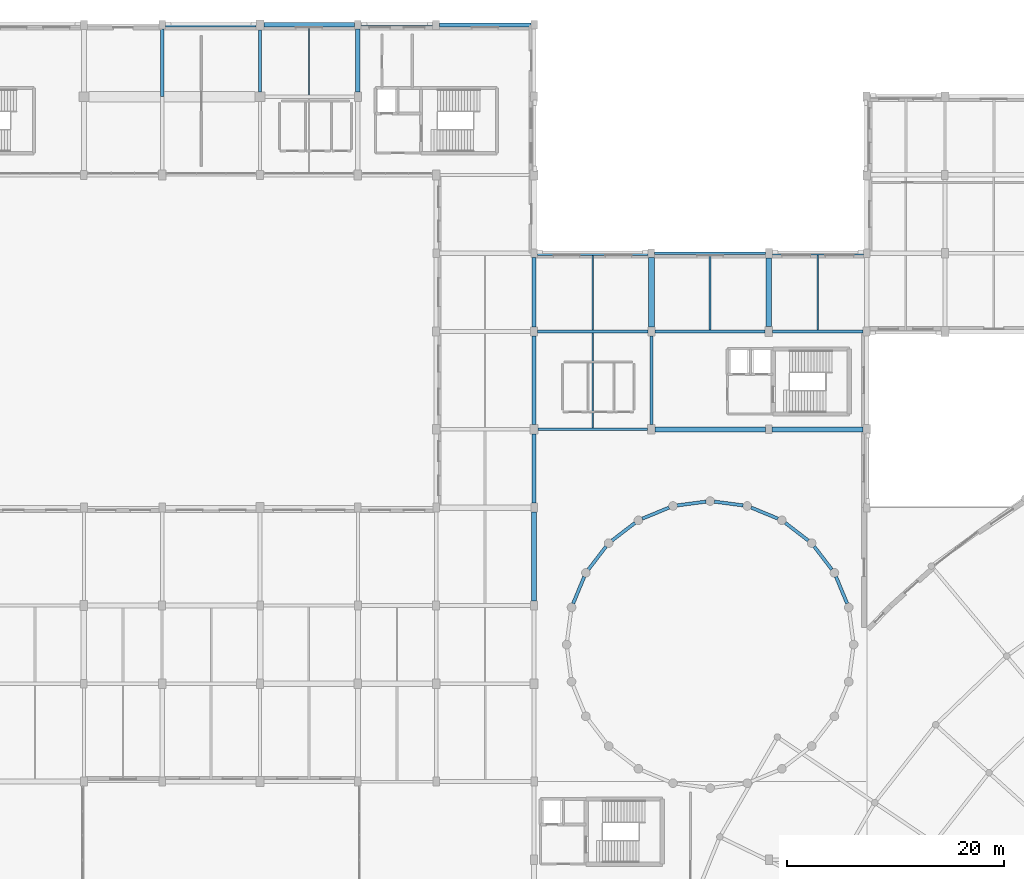
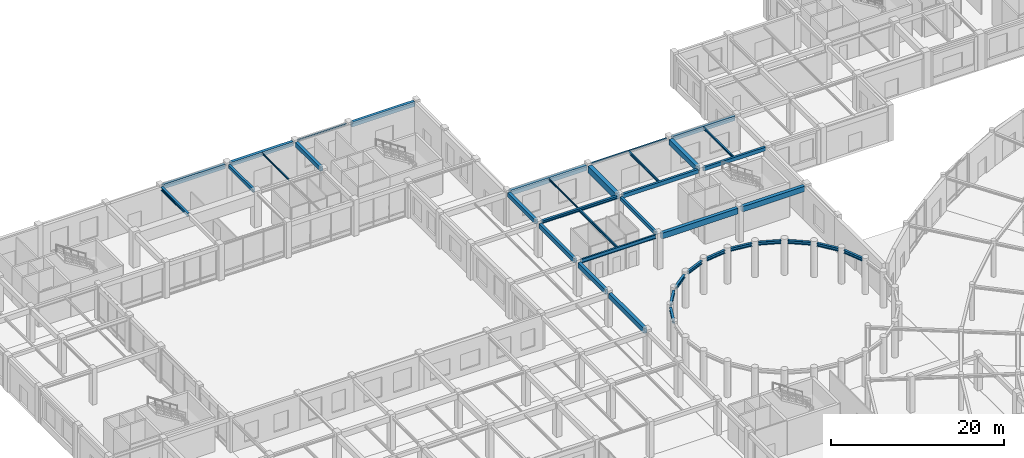
# One storey, part 29 of 64: 38 beams.
"""IFC4 building model written with IfcOpenShell, lengths in metres."""

from ifc_helpers import new_model, si_unit, direction, frame, origin, origin_2d, place, context, subcontext, project, spatial, rectangle, i_section, extrude, material, material_profile, profile_set, type_object, element, save


model = new_model("IFC4")

# Units and contexts
model_context = context("Model", 3, precision=1e-05, world=origin(), true_north=direction((0.0, 1.0)))
body_context = subcontext(model_context, "Body", "Model", "MODEL_VIEW")
ifc_project = project(units=[si_unit("LENGTHUNIT", "METRE"), si_unit("AREAUNIT", "SQUARE_METRE"), si_unit("VOLUMEUNIT", "CUBIC_METRE"), si_unit("PLANEANGLEUNIT", "RADIAN"), si_unit("MASSUNIT", "GRAM", prefix="KILO")], contexts=[model_context])

# Site, building, storey
site_placement = place(None, origin())
site = spatial("IfcSite", under=ifc_project, at=site_placement, CompositionType="ELEMENT")
building_placement = place(site_placement, origin())
building = spatial("IfcBuilding", under=site, at=building_placement, Name="Clarverna Civic Hall", CompositionType="ELEMENT")
storey_placement = place(building_placement, origin())
storey = spatial("IfcBuildingStorey", under=building, at=storey_placement, Name="L00", CompositionType="ELEMENT", Elevation=0.0)

# Beams
ifc_material_1 = material(Name="Steel S355", Category="steel")
ifc_material_profile_1 = material_profile(ifc_material_1, i_section(OverallWidth=0.219970703125, OverallDepth=0.2099609375, WebThickness=0.007080078125, FlangeThickness=0.010986328125, FilletRadius=0.01806640625, at=origin_2d()), Name="HEA 220")
ifc_profile_set_1 = profile_set([ifc_material_profile_1], Name="Steel S355")
beam_type_1 = type_object("IfcBeamType", Name="B-LN1", PredefinedType="LINTEL", material=ifc_profile_set_1)
beam_1_placement = place(storey_placement, frame((50.699951171875, 116.0, 4.715087890625), z_axis=(1.0, 0.0, 0.0), x_axis=(0.0, 1.0, 0.0)))
element("IfcBeam", 1, at=beam_1_placement, inside=storey, type_object=beam_type_1, Name="B-LN1-009", PredefinedType="LINTEL", context=body_context, shape_type="SweptSolid", body=[
    extrude(i_section(OverallWidth=0.219970703125, OverallDepth=0.2099609375, WebThickness=0.007080078125, FlangeThickness=0.010986328125, FilletRadius=0.01806640625, at=origin_2d()), origin(), (0.0, 0.0, 1.0), 6.574951171875),
])
ifc_material_profile_2 = material_profile(ifc_material_1, i_section(OverallWidth=0.199951171875, OverallDepth=0.18994140625, WebThickness=0.006591796875, FlangeThickness=0.010009765625, FilletRadius=0.01806640625, at=origin_2d()), Name="HEA 200")
ifc_profile_set_2 = profile_set([ifc_material_profile_2], Name="Steel S355")
beam_type_2 = type_object("IfcBeamType", Name="B-LN2", PredefinedType="LINTEL", material=ifc_profile_set_2)
beam_2_placement = place(storey_placement, frame((77.699951171875, 95.0, 4.68505859375), z_axis=(1.0, 0.0, 0.0), x_axis=(0.0, 1.0, 0.0)))
element("IfcBeam", 2, at=beam_2_placement, inside=storey, type_object=beam_type_2, Name="B-LN2-007", PredefinedType="LINTEL", context=body_context, shape_type="SweptSolid", body=[
    extrude(i_section(OverallWidth=0.199951171875, OverallDepth=0.18994140625, WebThickness=0.006591796875, FlangeThickness=0.010009765625, FilletRadius=0.01806640625, at=origin_2d()), origin(), (0.0, 0.0, 1.0), 10.175048828125),
])
ifc_material_2 = material(Name="Concrete C35/45", Category="concrete")
ifc_material_profile_3 = material_profile(ifc_material_2, rectangle(XDim=0.300048828125, YDim=0.550048828125, at=origin_2d()), Name="RC 300x550")
ifc_profile_set_3 = profile_set([ifc_material_profile_3], Name="Concrete C35/45")
beam_type_3 = type_object("IfcBeamType", Name="B-RC11", PredefinedType="BEAM", material=ifc_profile_set_3)
beam_3_placement = place(storey_placement, frame((77.72509765625, 87.800048828125, 4.5048828125), z_axis=(1.0, 0.0, 0.0), x_axis=(0.0, 1.0, 0.0)))
element("IfcBeam", 3, at=beam_3_placement, inside=storey, type_object=beam_type_3, Name="B-RC11-020", PredefinedType="BEAM", context=body_context, shape_type="SweptSolid", body=[
    extrude(rectangle(XDim=0.300048828125, YDim=0.550048828125, at=origin_2d()), origin(), (0.0, 0.0, 1.0), 10.125),
])
ifc_material_profile_4 = material_profile(ifc_material_2, rectangle(XDim=0.300048828125, YDim=0.5, at=origin_2d()), Name="RC 300x500")
ifc_profile_set_4 = profile_set([ifc_material_profile_4], Name="Concrete C35/45")
beam_type_4 = type_object("IfcBeamType", Name="B-RC12", PredefinedType="BEAM", material=ifc_profile_set_4)
beam_4_placement = place(storey_placement, frame((88.550048828125, 87.800048828125, 4.530029296875), z_axis=(1.0, 0.0, 0.0), x_axis=(0.0, 1.0, 0.0)))
element("IfcBeam", 4, at=beam_4_placement, inside=storey, type_object=beam_type_4, Name="B-RC12-021", PredefinedType="BEAM", context=body_context, shape_type="SweptSolid", body=[
    extrude(rectangle(XDim=0.300048828125, YDim=0.5, at=origin_2d()), origin(), (0.0, 0.0, 1.0), 8.324951171875),
])
beam_5_placement = place(storey_placement, frame((77.39990234375, 79.25, 4.530029296875), z_axis=(0.0, 1.0, 0.0), x_axis=(-1.0, 0.0, 0.0)))
element("IfcBeam", 5, at=beam_5_placement, inside=storey, type_object=beam_type_4, Name="B-RC12-026", PredefinedType="BEAM", context=body_context, shape_type="SweptSolid", body=[
    extrude(rectangle(XDim=0.300048828125, YDim=0.5, at=origin_2d()), origin(), (0.0, 0.0, 1.0), 8.125),
])
ifc_material_profile_5 = material_profile(ifc_material_2, rectangle(XDim=0.550048828125, YDim=0.89990234375, at=origin_2d()), Name="RC 550x900")
ifc_profile_set_5 = profile_set([ifc_material_profile_5], Name="Concrete C35/45")
beam_type_5 = type_object("IfcBeamType", Name="B-RC13", PredefinedType="BEAM", material=ifc_profile_set_5)
beam_6_placement = place(storey_placement, frame((77.39990234375, 88.22509765625, 4.330078125), z_axis=(0.0, 1.0, 0.0), x_axis=(-1.0, 0.0, 0.0)))
element("IfcBeam", 6, at=beam_6_placement, inside=storey, type_object=beam_type_5, Name="B-RC13-019", PredefinedType="BEAM", context=body_context, shape_type="SweptSolid", body=[
    extrude(rectangle(XDim=0.550048828125, YDim=0.89990234375, at=origin_2d()), origin(), (0.0, 0.0, 1.0), 6.375),
])
ifc_material_profile_6 = material_profile(ifc_material_2, rectangle(XDim=0.5, YDim=0.75, at=origin_2d()), Name="RC 500x750")
ifc_profile_set_6 = profile_set([ifc_material_profile_6], Name="Concrete C35/45")
beam_type_6 = type_object("IfcBeamType", Name="B-RC15", PredefinedType="BEAM", material=ifc_profile_set_6)
beam_7_placement = place(storey_placement, frame((88.199951171875, 88.25, 4.405029296875), z_axis=(0.0, 1.0, 0.0), x_axis=(-1.0, 0.0, 0.0)))
element("IfcBeam", 7, at=beam_7_placement, inside=storey, type_object=beam_type_6, Name="B-RC15-024", PredefinedType="BEAM", context=body_context, shape_type="SweptSolid", body=[
    extrude(rectangle(XDim=0.5, YDim=0.75, at=origin_2d()), origin(), (0.0, 0.0, 1.0), 6.324951171875),
])
ifc_material_profile_7 = material_profile(ifc_material_2, rectangle(XDim=0.300048828125, YDim=0.449951171875, at=origin_2d()), Name="RC 300x450")
ifc_profile_set_7 = profile_set([ifc_material_profile_7], Name="Concrete C35/45")
beam_type_7 = type_object("IfcBeamType", Name="B-RC18", PredefinedType="BEAM", material=ifc_profile_set_7)
beam_8_placement = place(storey_placement, frame((41.39990234375, 109.85009765625, 4.594970703125), z_axis=(0.0, 1.0, 0.0), x_axis=(-1.0, 0.0, 0.0)))
element("IfcBeam", 8, at=beam_8_placement, inside=storey, type_object=beam_type_7, Name="B-RC18-021", PredefinedType="BEAM", context=body_context, shape_type="SweptSolid", body=[
    extrude(rectangle(XDim=0.300048828125, YDim=0.449951171875, at=origin_2d()), origin(), (0.0, 0.0, 1.0), 5.699951171875),
])
ifc_material_profile_8 = material_profile(ifc_material_2, rectangle(XDim=0.449951171875, YDim=0.800048828125, at=origin_2d()), Name="RC 450x800")
ifc_profile_set_8 = profile_set([ifc_material_profile_8], Name="Concrete C35/45")
beam_type_8 = type_object("IfcBeamType", Name="B-RC2", PredefinedType="BEAM", material=ifc_profile_set_8)
beam_9_placement = place(storey_placement, frame((77.75, 78.800048828125, 4.3798828125), z_axis=(1.0, 0.0, 0.0), x_axis=(0.0, 1.0, 0.0)))
element("IfcBeam", 9, at=beam_9_placement, inside=storey, type_object=beam_type_8, Name="B-RC2-016", PredefinedType="BEAM", context=body_context, shape_type="SweptSolid", body=[
    extrude(rectangle(XDim=0.449951171875, YDim=0.800048828125, at=origin_2d()), origin(), (0.0, 0.0, 1.0), 10.14990234375),
])
ifc_material_profile_9 = material_profile(ifc_material_2, rectangle(XDim=0.449951171875, YDim=0.75, at=origin_2d()), Name="RC 450x750")
ifc_profile_set_9 = profile_set([ifc_material_profile_9], Name="Concrete C35/45")
beam_type_9 = type_object("IfcBeamType", Name="B-RC3", PredefinedType="BEAM", material=ifc_profile_set_9)
beam_10_placement = place(storey_placement, frame((88.5, 78.800048828125, 4.405029296875), z_axis=(1.0, 0.0, 0.0), x_axis=(0.0, 1.0, 0.0)))
element("IfcBeam", 10, at=beam_10_placement, inside=storey, type_object=beam_type_9, Name="B-RC3-016", PredefinedType="BEAM", context=body_context, shape_type="SweptSolid", body=[
    extrude(rectangle(XDim=0.449951171875, YDim=0.75, at=origin_2d()), origin(), (0.0, 0.0, 1.0), 8.35009765625),
])
ifc_material_profile_10 = material_profile(ifc_material_2, rectangle(XDim=0.39990234375, YDim=0.60009765625, at=origin_2d()), Name="RC 400x600")
ifc_profile_set_10 = profile_set([ifc_material_profile_10], Name="Concrete C35/45")
beam_type_10 = type_object("IfcBeamType", Name="B-RC7", PredefinedType="BEAM", material=ifc_profile_set_10)
beam_11_placement = place(storey_placement, frame((50.39990234375, 109.824951171875, 4.52001953125), z_axis=(0.0, 1.0, 0.0), x_axis=(-1.0, 0.0, 0.0)))
element("IfcBeam", 11, at=beam_11_placement, inside=storey, type_object=beam_type_10, Name="B-RC7-019", PredefinedType="BEAM", context=body_context, shape_type="SweptSolid", body=[
    extrude(rectangle(XDim=0.39990234375, YDim=0.60009765625, at=origin_2d()), origin(), (0.0, 0.0, 1.0), 5.775146484375),
])
ifc_material_profile_11 = material_profile(ifc_material_2, rectangle(XDim=0.419921875, YDim=0.719970703125, at=origin_2d()), Name="RC 420x720")
ifc_profile_set_11 = profile_set([ifc_material_profile_11], Name="Concrete C35/45")
beam_type_11 = type_object("IfcBeamType", Name="B-SP1", PredefinedType="SPANDREL", material=ifc_profile_set_11)
beam_12_placement = place(storey_placement, frame((66.89990234375, 95.0, 4.419921875), z_axis=(1.0, 0.0, 0.0), x_axis=(0.0, 1.0, 0.0)))
element("IfcBeam", 12, at=beam_12_placement, inside=storey, type_object=beam_type_11, Name="B-SP1-039", PredefinedType="SPANDREL", context=body_context, shape_type="SweptSolid", body=[
    extrude(rectangle(XDim=0.419921875, YDim=0.719970703125, at=origin_2d()), origin(), (0.0, 0.0, 1.0), 10.2001953125),
])
beam_13_placement = place(storey_placement, frame((66.60009765625, 63.02490234375, 4.419921875), z_axis=(0.0, 1.0, 0.0), x_axis=(-1.0, 0.0, 0.0)))
element("IfcBeam", 13, at=beam_13_placement, inside=storey, type_object=beam_type_11, Name="B-SP1-051", PredefinedType="SPANDREL", context=body_context, shape_type="SweptSolid", body=[
    extrude(rectangle(XDim=0.419921875, YDim=0.719970703125, at=origin_2d()), origin(), (0.0, 0.0, 1.0), 8.175048828125),
])
ifc_material_profile_12 = material_profile(ifc_material_2, rectangle(XDim=0.3798828125, YDim=0.679931640625, at=origin_2d()), Name="RC 380x680")
ifc_profile_set_12 = profile_set([ifc_material_profile_12], Name="Concrete C35/45")
beam_type_12 = type_object("IfcBeamType", Name="B-SP2", PredefinedType="SPANDREL", material=ifc_profile_set_12)
beam_14_placement = place(storey_placement, frame((57.925048828125, 116.0, 4.47998046875), z_axis=(1.0, 0.0, 0.0), x_axis=(0.0, 1.0, 0.0)))
element("IfcBeam", 14, at=beam_14_placement, inside=storey, type_object=beam_type_12, Name="B-SP2-040", PredefinedType="SPANDREL", context=body_context, shape_type="SweptSolid", body=[
    extrude(rectangle(XDim=0.3798828125, YDim=0.679931640625, at=origin_2d()), origin(), (0.0, 0.0, 1.0), 8.375),
])
beam_15_placement = place(storey_placement, frame((66.60009765625, 72.0, 4.43994140625), z_axis=(0.0, 1.0, 0.0), x_axis=(-1.0, 0.0, 0.0)))
element("IfcBeam", 15, at=beam_15_placement, inside=storey, type_object=beam_type_12, Name="B-SP2-050", PredefinedType="SPANDREL", context=body_context, shape_type="SweptSolid", body=[
    extrude(rectangle(XDim=0.3798828125, YDim=0.679931640625, at=origin_2d()), origin(), (0.0, 0.0, 1.0), 6.35009765625),
])
ifc_material_profile_13 = material_profile(ifc_material_2, rectangle(XDim=0.360107421875, YDim=0.6201171875, at=origin_2d()), Name="RC 360x620")
ifc_profile_set_13 = profile_set([ifc_material_profile_13], Name="Concrete C35/45")
beam_type_13 = type_object("IfcBeamType", Name="B-SP3", PredefinedType="SPANDREL", material=ifc_profile_set_13)
beam_16_placement = place(storey_placement, frame((88.52490234375, 95.0, 4.469970703125), z_axis=(1.0, 0.0, 0.0), x_axis=(0.0, 1.0, 0.0)))
element("IfcBeam", 16, at=beam_16_placement, inside=storey, type_object=beam_type_13, Name="B-SP3-037", PredefinedType="SPANDREL", context=body_context, shape_type="SweptSolid", body=[
    extrude(rectangle(XDim=0.360107421875, YDim=0.6201171875, at=origin_2d()), origin(), (0.0, 0.0, 1.0), 8.375),
])
beam_17_placement = place(storey_placement, frame((32.699951171875, 116.0, 4.510009765625), z_axis=(1.0, 0.0, 0.0), x_axis=(0.0, 1.0, 0.0)))
element("IfcBeam", 17, at=beam_17_placement, inside=storey, type_object=beam_type_13, Name="B-SP3-042", PredefinedType="SPANDREL", context=body_context, shape_type="SweptSolid", body=[
    extrude(rectangle(XDim=0.360107421875, YDim=0.6201171875, at=origin_2d()), origin(), (0.0, 0.0, 1.0), 8.35009765625),
])
beam_18_placement = place(storey_placement, frame((66.60009765625, 79.25, 4.469970703125), z_axis=(0.0, 1.0, 0.0), x_axis=(-1.0, 0.0, 0.0)))
element("IfcBeam", 18, at=beam_18_placement, inside=storey, type_object=beam_type_13, Name="B-SP3-051", PredefinedType="SPANDREL", context=body_context, shape_type="SweptSolid", body=[
    extrude(rectangle(XDim=0.360107421875, YDim=0.6201171875, at=origin_2d()), origin(), (0.0, 0.0, 1.0), 8.125),
])
ifc_material_profile_14 = material_profile(ifc_material_2, rectangle(XDim=0.39990234375, YDim=0.56005859375, at=origin_2d()), Name="RC 400x560")
ifc_profile_set_14 = profile_set([ifc_material_profile_14], Name="Concrete C35/45")
beam_type_14 = type_object("IfcBeamType", Name="B-SP4", PredefinedType="SPANDREL", material=ifc_profile_set_14)
beam_19_placement = place(storey_placement, frame((41.75, 116.0, 4.5400390625), z_axis=(1.0, 0.0, 0.0), x_axis=(0.0, 1.0, 0.0)))
element("IfcBeam", 19, at=beam_19_placement, inside=storey, type_object=beam_type_14, Name="B-SP4-039", PredefinedType="SPANDREL", context=body_context, shape_type="SweptSolid", body=[
    extrude(rectangle(XDim=0.39990234375, YDim=0.56005859375, at=origin_2d()), origin(), (0.0, 0.0, 1.0), 8.35009765625),
])
beam_20_placement = place(storey_placement, frame((66.60009765625, 88.22509765625, 4.5), z_axis=(0.0, 1.0, 0.0), x_axis=(-1.0, 0.0, 0.0)))
element("IfcBeam", 20, at=beam_20_placement, inside=storey, type_object=beam_type_14, Name="B-SP4-048", PredefinedType="SPANDREL", context=body_context, shape_type="SweptSolid", body=[
    extrude(rectangle(XDim=0.39990234375, YDim=0.56005859375, at=origin_2d()), origin(), (0.0, 0.0, 1.0), 6.375),
])
ifc_material_profile_15 = material_profile(ifc_material_1, i_section(OverallWidth=0.2099609375, OverallDepth=0.550048828125, WebThickness=0.010986328125, FlangeThickness=0.01708984375, FilletRadius=0.02392578125, at=origin_2d()), Name="IPE 550")
ifc_profile_set_15 = profile_set([ifc_material_profile_15], Name="Steel S355")
beam_type_15 = type_object("IfcBeamType", Name="B-ST11", PredefinedType="BEAM", material=ifc_profile_set_15)
beam_21_placement = place(storey_placement, frame((66.949951171875, 78.800048828125, 4.5048828125), z_axis=(1.0, 0.0, 0.0), x_axis=(0.0, 1.0, 0.0)))
element("IfcBeam", 21, at=beam_21_placement, inside=storey, type_object=beam_type_15, Name="B-ST11-002", PredefinedType="BEAM", context=body_context, shape_type="SweptSolid", body=[
    extrude(i_section(OverallWidth=0.2099609375, OverallDepth=0.550048828125, WebThickness=0.010986328125, FlangeThickness=0.01708984375, FilletRadius=0.02392578125, at=origin_2d()), origin(), (0.0, 0.0, 1.0), 10.10009765625),
])
ifc_material_profile_16 = material_profile(ifc_material_1, i_section(OverallWidth=0.300048828125, OverallDepth=0.449951171875, WebThickness=0.013916015625, FlangeThickness=0.02587890625, FilletRadius=0.027099609375, at=origin_2d()), Name="HEB 450")
ifc_profile_set_16 = profile_set([ifc_material_profile_16], Name="Steel S355")
beam_type_16 = type_object("IfcBeamType", Name="B-ST3", PredefinedType="BEAM", material=ifc_profile_set_16)
beam_22_placement = place(storey_placement, frame((32.39990234375, 109.39990234375, 4.594970703125), z_axis=(0.0, 1.0, 0.0), x_axis=(-1.0, 0.0, 0.0)))
element("IfcBeam", 22, at=beam_22_placement, inside=storey, type_object=beam_type_16, Name="B-ST3-004", PredefinedType="BEAM", context=body_context, shape_type="SweptSolid", body=[
    extrude(i_section(OverallWidth=0.300048828125, OverallDepth=0.449951171875, WebThickness=0.013916015625, FlangeThickness=0.02587890625, FilletRadius=0.027099609375, at=origin_2d()), origin(), (0.0, 0.0, 1.0), 6.2001953125),
])
ifc_material_profile_17 = material_profile(ifc_material_1, i_section(OverallWidth=0.300048828125, OverallDepth=0.43994140625, WebThickness=0.011474609375, FlangeThickness=0.02099609375, FilletRadius=0.027099609375, at=origin_2d()), Name="HEA 450")
ifc_profile_set_17 = profile_set([ifc_material_profile_17], Name="Steel S355")
beam_type_17 = type_object("IfcBeamType", Name="B-ST5", PredefinedType="BEAM", material=ifc_profile_set_17)
for number, where, z_axis, x_axis, name in (
    (23, (95.40283203125, 62.772216796875, 4.56005859375), (-0.382658002616, 0.923890065448, 0.0), (-0.923890065448, -0.382658002616, 0.0), "B-ST5-028"),
    (24, (93.9970703125, 65.905517578125, 4.56005859375), (-0.60876670321, 0.793349293227, 0.0), (-0.793349293227, -0.60876670321, 0.0), "B-ST5-029"),
):
    element("IfcBeam", number, at=place(storey_placement, frame(where, z_axis=z_axis, x_axis=x_axis)), inside=storey, type_object=beam_type_17, Name=name, PredefinedType="BEAM", context=body_context, shape_type="SweptSolid", body=[
        extrude(i_section(OverallWidth=0.300048828125, OverallDepth=0.43994140625, WebThickness=0.011474609375, FlangeThickness=0.02099609375, FilletRadius=0.027099609375, at=origin_2d()), origin(), (0.0, 0.0, 1.0), 2.67578125),
    ])
beam_23_placement = place(storey_placement, frame((91.828369140625, 68.568115234375, 4.56005859375), z_axis=(-0.793383103562, 0.608722638796, 0.0), x_axis=(-0.608722638796, -0.793383103562, 0.0)))
element("IfcBeam", 25, at=beam_23_placement, inside=storey, type_object=beam_type_17, Name="B-ST5-030", PredefinedType="BEAM", context=body_context, shape_type="SweptSolid", body=[
    extrude(i_section(OverallWidth=0.300048828125, OverallDepth=0.43994140625, WebThickness=0.011474609375, FlangeThickness=0.02099609375, FilletRadius=0.027099609375, at=origin_2d()), origin(), (0.0, 0.0, 1.0), 2.676025390625),
])
beam_24_placement = place(storey_placement, frame((89.044189453125, 70.578857421875, 4.56005859375), z_axis=(-0.923890065448, 0.382658002616, 0.0), x_axis=(-0.382658002616, -0.923890065448, 0.0)))
element("IfcBeam", 26, at=beam_24_placement, inside=storey, type_object=beam_type_17, Name="B-ST5-031", PredefinedType="BEAM", context=body_context, shape_type="SweptSolid", body=[
    extrude(i_section(OverallWidth=0.300048828125, OverallDepth=0.43994140625, WebThickness=0.011474609375, FlangeThickness=0.02099609375, FilletRadius=0.027099609375, at=origin_2d()), origin(), (0.0, 0.0, 1.0), 2.67578125),
])
beam_25_placement = place(storey_placement, frame((85.834716796875, 71.800537109375, 4.56005859375), z_axis=(-0.991452742797, 0.130466312892, 0.0), x_axis=(-0.130466312892, -0.991452742797, 0.0)))
element("IfcBeam", 27, at=beam_25_placement, inside=storey, type_object=beam_type_17, Name="B-ST5-032", PredefinedType="BEAM", context=body_context, shape_type="SweptSolid", body=[
    extrude(i_section(OverallWidth=0.300048828125, OverallDepth=0.43994140625, WebThickness=0.011474609375, FlangeThickness=0.02099609375, FilletRadius=0.027099609375, at=origin_2d()), origin(), (0.0, 0.0, 1.0), 2.676025390625),
])
for number, where, z_axis, x_axis, name in (
    (28, (82.418212890625, 72.149658203125, 4.56005859375), (-0.991451189631, -0.13047811533, 0.0), (0.13047811533, -0.991451189631, 0.0), "B-ST5-033"),
    (29, (79.02783203125, 71.602783203125, 4.56005859375), (-0.923890065448, -0.382658002616, 0.0), (0.382658002616, -0.923890065448, 0.0), "B-ST5-034"),
):
    element("IfcBeam", number, at=place(storey_placement, frame(where, z_axis=z_axis, x_axis=x_axis)), inside=storey, type_object=beam_type_17, Name=name, PredefinedType="BEAM", context=body_context, shape_type="SweptSolid", body=[
        extrude(i_section(OverallWidth=0.300048828125, OverallDepth=0.43994140625, WebThickness=0.011474609375, FlangeThickness=0.02099609375, FilletRadius=0.027099609375, at=origin_2d()), origin(), (0.0, 0.0, 1.0), 2.67578125),
    ])
beam_26_placement = place(storey_placement, frame((75.89453125, 70.197021484375, 4.56005859375), z_axis=(-0.793383103562, -0.608722638796, 0.0), x_axis=(0.608722638796, -0.793383103562, 0.0)))
element("IfcBeam", 30, at=beam_26_placement, inside=storey, type_object=beam_type_17, Name="B-ST5-035", PredefinedType="BEAM", context=body_context, shape_type="SweptSolid", body=[
    extrude(i_section(OverallWidth=0.300048828125, OverallDepth=0.43994140625, WebThickness=0.011474609375, FlangeThickness=0.02099609375, FilletRadius=0.027099609375, at=origin_2d()), origin(), (0.0, 0.0, 1.0), 2.676025390625),
])
beam_27_placement = place(storey_placement, frame((73.231689453125, 68.0283203125, 4.56005859375), z_axis=(-0.60876670321, -0.793349293227, 0.0), x_axis=(0.793349293227, -0.60876670321, 0.0)))
element("IfcBeam", 31, at=beam_27_placement, inside=storey, type_object=beam_type_17, Name="B-ST5-036", PredefinedType="BEAM", context=body_context, shape_type="SweptSolid", body=[
    extrude(i_section(OverallWidth=0.300048828125, OverallDepth=0.43994140625, WebThickness=0.011474609375, FlangeThickness=0.02099609375, FilletRadius=0.027099609375, at=origin_2d()), origin(), (0.0, 0.0, 1.0), 2.67578125),
])
beam_28_placement = place(storey_placement, frame((71.22119140625, 65.244384765625, 4.56005859375), z_axis=(-0.382735878004, -0.923857807072, 0.0), x_axis=(0.923857807072, -0.382735878004, 0.0)))
element("IfcBeam", 32, at=beam_28_placement, inside=storey, type_object=beam_type_17, Name="B-ST5-037", PredefinedType="BEAM", context=body_context, shape_type="SweptSolid", body=[
    extrude(i_section(OverallWidth=0.300048828125, OverallDepth=0.43994140625, WebThickness=0.011474609375, FlangeThickness=0.02099609375, FilletRadius=0.027099609375, at=origin_2d()), origin(), (0.0, 0.0, 1.0), 2.676025390625),
])
ifc_material_profile_18 = material_profile(ifc_material_1, i_section(OverallWidth=0.300048828125, OverallDepth=0.389892578125, WebThickness=0.010986328125, FlangeThickness=0.01904296875, FilletRadius=0.027099609375, at=origin_2d()), Name="HEA 400")
ifc_profile_set_18 = profile_set([ifc_material_profile_18], Name="Steel S355")
beam_type_18 = type_object("IfcBeamType", Name="B-ST6", PredefinedType="BEAM", material=ifc_profile_set_18)
beam_29_placement = place(storey_placement, frame((66.925048828125, 87.800048828125, 4.5849609375), z_axis=(1.0, 0.0, 0.0), x_axis=(0.0, 1.0, 0.0)))
element("IfcBeam", 33, at=beam_29_placement, inside=storey, type_object=beam_type_18, Name="B-ST6-001", PredefinedType="BEAM", context=body_context, shape_type="SweptSolid", body=[
    extrude(i_section(OverallWidth=0.300048828125, OverallDepth=0.389892578125, WebThickness=0.010986328125, FlangeThickness=0.01904296875, FilletRadius=0.027099609375, at=origin_2d()), origin(), (0.0, 0.0, 1.0), 10.14990234375),
])
ifc_material_profile_19 = material_profile(ifc_material_1, i_section(OverallWidth=0.169921875, OverallDepth=0.360107421875, WebThickness=0.008056640625, FlangeThickness=0.0126953125, FilletRadius=0.01806640625, at=origin_2d()), Name="IPE 360")
ifc_profile_set_19 = profile_set([ifc_material_profile_19], Name="Steel S355")
beam_type_19 = type_object("IfcBeamType", Name="J-ST1", PredefinedType="JOIST", material=ifc_profile_set_19)
beam_30_placement = place(storey_placement, frame((72.0, 78.905029296875, 4.60009765625), z_axis=(0.0, 1.0, 0.0), x_axis=(-1.0, 0.0, 0.0)))
element("IfcBeam", 34, at=beam_30_placement, inside=storey, type_object=beam_type_19, Name="J-ST1-029", PredefinedType="JOIST", context=body_context, shape_type="SweptSolid", body=[
    extrude(i_section(OverallWidth=0.169921875, OverallDepth=0.360107421875, WebThickness=0.008056640625, FlangeThickness=0.0126953125, FilletRadius=0.01806640625, at=origin_2d()), origin(), (0.0, 0.0, 1.0), 8.744873046875),
])
beam_31_placement = place(storey_placement, frame((82.800048828125, 87.949951171875, 4.60009765625), z_axis=(0.0, 1.0, 0.0), x_axis=(-1.0, 0.0, 0.0)))
element("IfcBeam", 35, at=beam_31_placement, inside=storey, type_object=beam_type_19, Name="J-ST1-030", PredefinedType="JOIST", context=body_context, shape_type="SweptSolid", body=[
    extrude(i_section(OverallWidth=0.169921875, OverallDepth=0.360107421875, WebThickness=0.008056640625, FlangeThickness=0.0126953125, FilletRadius=0.01806640625, at=origin_2d()), origin(), (0.0, 0.0, 1.0), 6.949951171875),
])
ifc_material_profile_20 = material_profile(ifc_material_1, i_section(OverallWidth=0.159912109375, OverallDepth=0.330078125, WebThickness=0.007568359375, FlangeThickness=0.011474609375, FilletRadius=0.01806640625, at=origin_2d()), Name="IPE 330")
ifc_profile_set_20 = profile_set([ifc_material_profile_20], Name="Steel S355")
beam_type_20 = type_object("IfcBeamType", Name="J-ST2", PredefinedType="JOIST", material=ifc_profile_set_20)
beam_32_placement = place(storey_placement, frame((92.699951171875, 87.949951171875, 4.614990234375), z_axis=(0.0, 1.0, 0.0), x_axis=(-1.0, 0.0, 0.0)))
element("IfcBeam", 36, at=beam_32_placement, inside=storey, type_object=beam_type_20, Name="J-ST2-030", PredefinedType="JOIST", context=body_context, shape_type="SweptSolid", body=[
    extrude(i_section(OverallWidth=0.159912109375, OverallDepth=0.330078125, WebThickness=0.007568359375, FlangeThickness=0.011474609375, FilletRadius=0.01806640625, at=origin_2d()), origin(), (0.0, 0.0, 1.0), 6.8701171875),
])
ifc_material_profile_21 = material_profile(ifc_material_1, i_section(OverallWidth=0.1201171875, OverallDepth=0.239990234375, WebThickness=0.006103515625, FlangeThickness=0.009765625, FilletRadius=0.014892578125, at=origin_2d()), Name="IPE 240")
ifc_profile_set_21 = profile_set([ifc_material_profile_21], Name="Steel S355")
beam_type_21 = type_object("IfcBeamType", Name="J-ST5", PredefinedType="JOIST", material=ifc_profile_set_21)
beam_33_placement = place(storey_placement, frame((45.89990234375, 109.550048828125, 4.699951171875), z_axis=(0.0, 1.0, 0.0), x_axis=(-1.0, 0.0, 0.0)))
element("IfcBeam", 37, at=beam_33_placement, inside=storey, type_object=beam_type_21, Name="J-ST5-033", PredefinedType="JOIST", context=body_context, shape_type="SweptSolid", body=[
    extrude(i_section(OverallWidth=0.1201171875, OverallDepth=0.239990234375, WebThickness=0.006103515625, FlangeThickness=0.009765625, FilletRadius=0.014892578125, at=origin_2d()), origin(), (0.0, 0.0, 1.0), 6.25),
])
ifc_material_profile_22 = material_profile(ifc_material_1, i_section(OverallWidth=0.110107421875, OverallDepth=0.219970703125, WebThickness=0.005859375, FlangeThickness=0.00927734375, FilletRadius=0.011962890625, at=origin_2d()), Name="IPE 220")
ifc_profile_set_22 = profile_set([ifc_material_profile_22], Name="Steel S355")
beam_type_22 = type_object("IfcBeamType", Name="J-ST6", PredefinedType="JOIST", material=ifc_profile_set_22)
beam_34_placement = place(storey_placement, frame((72.0, 87.949951171875, 4.669921875), z_axis=(0.0, 1.0, 0.0), x_axis=(-1.0, 0.0, 0.0)))
element("IfcBeam", 38, at=beam_34_placement, inside=storey, type_object=beam_type_22, Name="J-ST6-030", PredefinedType="JOIST", context=body_context, shape_type="SweptSolid", body=[
    extrude(i_section(OverallWidth=0.110107421875, OverallDepth=0.219970703125, WebThickness=0.005859375, FlangeThickness=0.00927734375, FilletRadius=0.011962890625, at=origin_2d()), origin(), (0.0, 0.0, 1.0), 6.840087890625),
])

save(model, "model.ifc")
